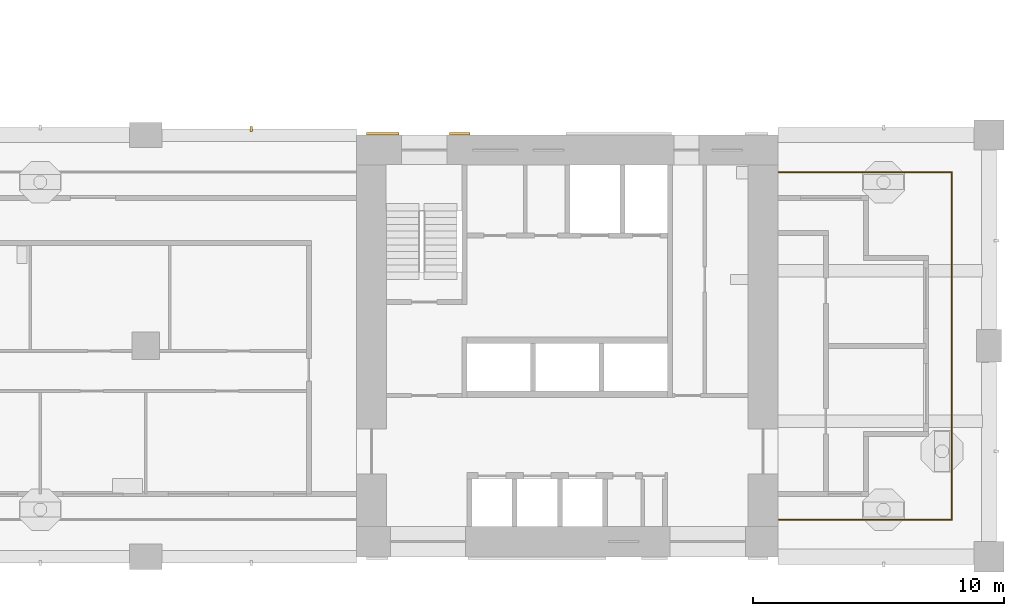
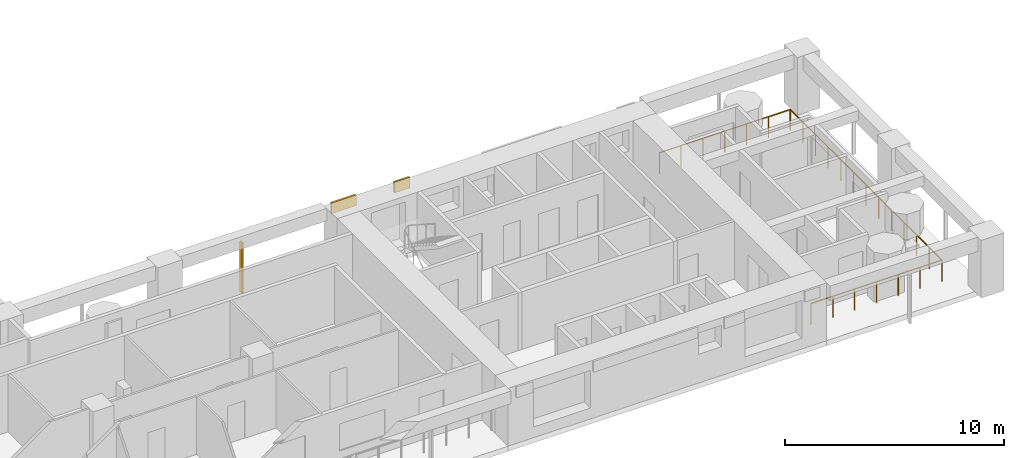
# One storey, part 12 of 18: 3 shading devices, 1 railing.
"""IFC4 building model written with IfcOpenShell, lengths in metres."""

from ifc_helpers import new_model, si_unit, direction, frame, origin, origin_2d, place, context, subcontext, project, spatial, rectangle, circle, extrude, material, layer, layer_set, material_profile, profile_set, type_object, element, save


model = new_model("IFC4")

# Units and contexts
model_context = context("Model", 3, precision=1e-05, world=origin(), true_north=direction((0.0, 1.0)))
body_context = subcontext(model_context, "Body", "Model", "MODEL_VIEW")
ifc_project = project(units=[si_unit("LENGTHUNIT", "METRE"), si_unit("AREAUNIT", "SQUARE_METRE"), si_unit("VOLUMEUNIT", "CUBIC_METRE"), si_unit("PLANEANGLEUNIT", "RADIAN"), si_unit("MASSUNIT", "GRAM", prefix="KILO")], contexts=[model_context])

# Site, building, storey
site_placement = place(None, origin())
site = spatial("IfcSite", under=ifc_project, at=site_placement, CompositionType="ELEMENT")
building_placement = place(site_placement, origin())
building = spatial("IfcBuilding", under=site, at=building_placement, Name="Vermilion Gate Residences", CompositionType="ELEMENT")
storey_placement = place(building_placement, frame((0.0, 0.0, 109.199951171875)))
storey = spatial("IfcBuildingStorey", under=building, at=storey_placement, Name="L27", CompositionType="ELEMENT", Elevation=109.199951171875)

# Railing
ifc_material_1 = material(Name="Stainless steel and toughened glass", Category="steel")
railing_type = type_object("IfcRailingType", Name="LOGGIA GUARD STEEL AND GLASS 1200", PredefinedType="GUARDRAIL", material=ifc_material_1)
railing_placement = place(storey_placement, frame((58.822021484375, 9.875, 0.0)))
element("IfcRailing", 1, at=railing_placement, inside=storey, type_object=railing_type, Name="Loggia guard", PredefinedType="GUARDRAIL", context=body_context, shape_type="SweptSolid", body=[
    extrude(circle(Radius=0.030029296875, at=origin_2d()), frame((0.0, 0.0, 1.169921875), z_axis=(1.0, 0.0, 0.0), x_axis=(0.0, 1.0, 0.0)), (0.0, 0.0, 1.0), 6.903076171875),
    extrude(circle(Radius=0.030029296875, at=origin_2d()), frame((6.903076171875, 0.0, 1.169921875), z_axis=(0.0, 1.0, 0.0), x_axis=(-1.0, 0.0, 0.0)), (0.0, 0.0, 1.0), 13.85009765625),
    extrude(circle(Radius=0.030029296875, at=origin_2d()), frame((6.903076171875, 13.85009765625, 1.169921875), z_axis=(-1.0, 0.0, 0.0), x_axis=(0.0, -1.0, 0.0)), (0.0, 0.0, 1.0), 6.903076171875),
    extrude(circle(Radius=0.02490234375, at=origin_2d()), origin(), (0.0, 0.0, 1.0), 1.139892578125),
    extrude(circle(Radius=0.02490234375, at=origin_2d()), frame((1.150390625, 0.0, 0.0)), (0.0, 0.0, 1.0), 1.139892578125),
    extrude(circle(Radius=0.02490234375, at=origin_2d()), frame((2.301025390625, 0.0, 0.0)), (0.0, 0.0, 1.0), 1.139892578125),
    extrude(circle(Radius=0.02490234375, at=origin_2d()), frame((3.45166015625, 0.0, 0.0)), (0.0, 0.0, 1.0), 1.139892578125),
    extrude(circle(Radius=0.02490234375, at=origin_2d()), frame((4.60205078125, 0.0, 0.0)), (0.0, 0.0, 1.0), 1.139892578125),
    extrude(circle(Radius=0.02490234375, at=origin_2d()), frame((5.75244140625, 0.0, 0.0)), (0.0, 0.0, 1.0), 1.139892578125),
    extrude(circle(Radius=0.02490234375, at=origin_2d()), frame((6.903076171875, 0.0, 0.0)), (0.0, 0.0, 1.0), 1.139892578125),
    extrude(circle(Radius=0.02490234375, at=origin_2d()), frame((6.903076171875, 1.154296875, 0.0)), (0.0, 0.0, 1.0), 1.139892578125),
    extrude(circle(Radius=0.02490234375, at=origin_2d()), frame((6.903076171875, 2.308349609375, 0.0)), (0.0, 0.0, 1.0), 1.139892578125),
    extrude(circle(Radius=0.02490234375, at=origin_2d()), frame((6.903076171875, 3.46240234375, 0.0)), (0.0, 0.0, 1.0), 1.139892578125),
    extrude(circle(Radius=0.02490234375, at=origin_2d()), frame((6.903076171875, 4.61669921875, 0.0)), (0.0, 0.0, 1.0), 1.139892578125),
    extrude(circle(Radius=0.02490234375, at=origin_2d()), frame((6.903076171875, 5.77099609375, 0.0)), (0.0, 0.0, 1.0), 1.139892578125),
    extrude(circle(Radius=0.02490234375, at=origin_2d()), frame((6.903076171875, 6.925048828125, 0.0)), (0.0, 0.0, 1.0), 1.139892578125),
    extrude(circle(Radius=0.02490234375, at=origin_2d()), frame((6.903076171875, 8.0791015625, 0.0)), (0.0, 0.0, 1.0), 1.139892578125),
    extrude(circle(Radius=0.02490234375, at=origin_2d()), frame((6.903076171875, 9.2333984375, 0.0)), (0.0, 0.0, 1.0), 1.139892578125),
    extrude(circle(Radius=0.02490234375, at=origin_2d()), frame((6.903076171875, 10.3876953125, 0.0)), (0.0, 0.0, 1.0), 1.139892578125),
    extrude(circle(Radius=0.02490234375, at=origin_2d()), frame((6.903076171875, 11.541748046875, 0.0)), (0.0, 0.0, 1.0), 1.139892578125),
    extrude(circle(Radius=0.02490234375, at=origin_2d()), frame((6.903076171875, 12.69580078125, 0.0)), (0.0, 0.0, 1.0), 1.139892578125),
    extrude(circle(Radius=0.02490234375, at=origin_2d()), frame((6.903076171875, 13.85009765625, 0.0)), (0.0, 0.0, 1.0), 1.139892578125),
    extrude(circle(Radius=0.02490234375, at=origin_2d()), frame((5.75244140625, 13.85009765625, 0.0)), (0.0, 0.0, 1.0), 1.139892578125),
    extrude(circle(Radius=0.02490234375, at=origin_2d()), frame((4.60205078125, 13.85009765625, 0.0)), (0.0, 0.0, 1.0), 1.139892578125),
    extrude(circle(Radius=0.02490234375, at=origin_2d()), frame((3.45166015625, 13.85009765625, 0.0)), (0.0, 0.0, 1.0), 1.139892578125),
    extrude(circle(Radius=0.02490234375, at=origin_2d()), frame((2.301025390625, 13.85009765625, 0.0)), (0.0, 0.0, 1.0), 1.139892578125),
    extrude(circle(Radius=0.02490234375, at=origin_2d()), frame((1.150390625, 13.85009765625, 0.0)), (0.0, 0.0, 1.0), 1.139892578125),
    extrude(circle(Radius=0.02490234375, at=origin_2d()), frame((0.0, 13.85009765625, 0.0)), (0.0, 0.0, 1.0), 1.139892578125),
])

# Shading devices
ifc_material_2 = material(Name="Extruded terracotta", Category="masonry")
ifc_material_profile = material_profile(ifc_material_2, rectangle(XDim=0.199951171875, YDim=0.10009765625, at=origin_2d()), Name="BAGUETTE 100 X 200")
ifc_profile_set = profile_set([ifc_material_profile], Name="Extruded terracotta")
shading_device_type_1 = type_object("IfcShadingDeviceType", Name="TERRACOTTA BAGUETTE 100 X 200", PredefinedType="JALOUSIE", material=ifc_profile_set)
shading_device_1_placement = place(storey_placement, frame((37.800048828125, 25.449951171875, -0.280029296875), z_axis=(0.0, 0.0, 1.0), x_axis=(0.0, -1.0, 0.0)))
element("IfcShadingDevice", 2, at=shading_device_1_placement, inside=storey, type_object=shading_device_type_1, Name="BAGUETTE", PredefinedType="JALOUSIE", context=body_context, shape_type="SweptSolid", body=[
    extrude(rectangle(XDim=0.199951171875, YDim=0.10009765625, at=origin_2d()), origin(), (0.0, 0.0, 1.0), 2.800048828125),
])
ifc_material_3 = material(Name="Extruded terracotta", Category="masonry")
ifc_layer = layer(ifc_material_3, 0.10009765625)
ifc_layer_set = layer_set([ifc_layer], Name="TERRACOTTA SPANDREL BAND 600 X 100")
shading_device_type_2 = type_object("IfcShadingDeviceType", Name="TERRACOTTA SPANDREL BAND 600 X 100", PredefinedType="USERDEFINED", material=ifc_layer_set)
shading_device_2_placement = place(storey_placement, frame((43.050048828125, 25.25, 2.6201171875), z_axis=(0.0, 0.0, 1.0), x_axis=(1.0, 0.0, 0.0)))
element("IfcShadingDevice", 3, at=shading_device_2_placement, inside=storey, type_object=shading_device_type_2, Name="SPANDREL BAND", ObjectType="BAND", PredefinedType="USERDEFINED", context=body_context, shape_type="SweptSolid", body=[
    extrude(rectangle(XDim=1.300048828125, YDim=0.10009765625, at=origin_2d()), origin(), (0.0, 0.0, 1.0), 0.60009765625),
])
shading_device_3_placement = place(storey_placement, frame((46.112548828125, 25.25, 2.6201171875), z_axis=(0.0, 0.0, 1.0), x_axis=(1.0, 0.0, 0.0)))
element("IfcShadingDevice", 4, at=shading_device_3_placement, inside=storey, type_object=shading_device_type_2, Name="SPANDREL BAND", ObjectType="BAND", PredefinedType="USERDEFINED", context=body_context, shape_type="SweptSolid", body=[
    extrude(rectangle(XDim=0.824951171875, YDim=0.10009765625, at=origin_2d()), origin(), (0.0, 0.0, 1.0), 0.60009765625),
])

save(model, "model.ifc")
